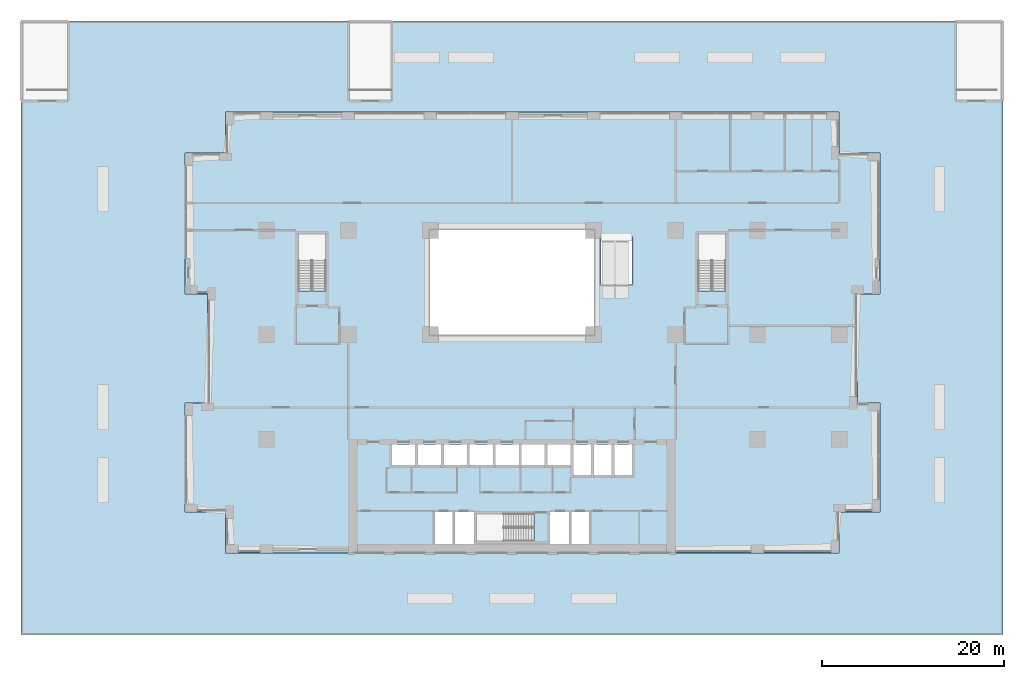
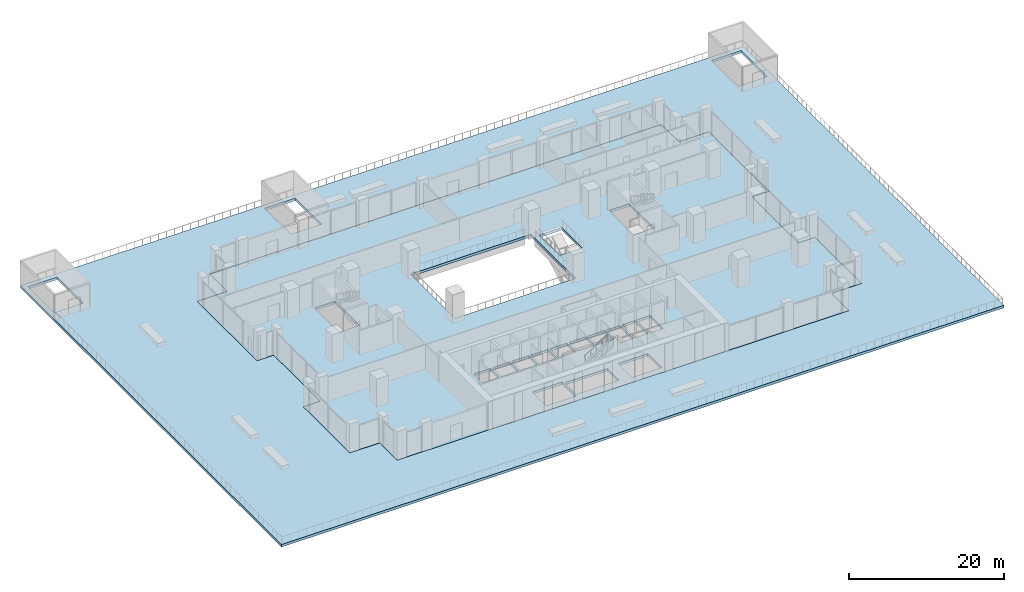
# One storey, part 9 of 19: 2 slabs.
"""IFC4 building model written with IfcOpenShell, lengths in metres."""

import ifcopenshell
import ifcopenshell.guid

model = None  # the IFC model being written
_history = None  # IfcOwnerHistory: only IFC2X3 demands one
_inside = {}  # id of a spatial element -> (the spatial element, [elements in it])
_under = {}  # id of a project, library or spatial element -> (it, [spatial elements below it])
_declared = {}  # id of a project -> (the project, [libraries it declares])
_typed = {}  # id of a type object -> (the type object, [elements of that type])
_made_of = {}  # id of a material, layer set ... -> (it, [elements and type objects made of it])


def new_model(schema):
    """Start an empty IFC model of exactly this schema.

    Asked for "IFC4X3", IfcOpenShell would pick the latest addendum, in which some entities
    have other attributes; the version numbers below select the first issue.
    IFC2X3 requires an IfcOwnerHistory on every rooted entity: one is made here for all.
    """
    global model, _history
    if schema == "IFC4X3":
        model = ifcopenshell.file(schema_version=(4, 3, 0, 0))
    else:
        model = ifcopenshell.file(schema=schema)
    _inside.clear()
    _under.clear()
    _declared.clear()
    _typed.clear()
    _made_of.clear()
    _history = None
    if model.schema == "IFC2X3":
        org = make("IfcOrganization", Name="unknown")
        user = make(
            "IfcPersonAndOrganization",
            ThePerson=make("IfcPerson", FamilyName="unknown"),
            TheOrganization=org,
        )
        app = make(
            "IfcApplication",
            ApplicationDeveloper=org,
            Version="unknown",
            ApplicationFullName="unknown",
            ApplicationIdentifier="unknown",
        )
        _history = make(
            "IfcOwnerHistory",
            OwningUser=user,
            OwningApplication=app,
            ChangeAction="ADDED",
            CreationDate=0,
        )
    return model


def make(cls, **values):
    """One entity of the class cls with the attributes given. An attribute that is None is left unset."""
    return model.create_entity(
        cls, **{name: value for name, value in values.items() if value is not None}
    )


def rooted(cls, **values):
    """An entity with a GlobalId (a new one), such as an element, a storey or a relation."""
    return make(cls, GlobalId=ifcopenshell.guid.new(), OwnerHistory=_history, **values)


def si_unit(unit_type, name, prefix=None):
    """IfcSIUnit, for example si_unit("LENGTHUNIT", "METRE", prefix="MILLI")."""
    return make("IfcSIUnit", UnitType=unit_type, Prefix=prefix, Name=name)


def assignment(units):
    """IfcUnitAssignment: the units of a project."""
    return None if units is None else make("IfcUnitAssignment", Units=units)


def point(xyz):
    """IfcCartesianPoint."""
    return None if xyz is None else make("IfcCartesianPoint", Coordinates=xyz)


def direction(xyz):
    """IfcDirection."""
    return None if xyz is None else make("IfcDirection", DirectionRatios=xyz)


def frame(location, z_axis=None, x_axis=None):
    """IfcAxis2Placement3D, a coordinate frame: its origin and axes. An axis left out is left unset."""
    return make(
        "IfcAxis2Placement3D",
        Location=point(location),
        Axis=direction(z_axis),
        RefDirection=direction(x_axis),
    )


def origin():
    """The frame at (0, 0, 0) with its axes left unset."""
    return frame((0.0, 0.0, 0.0))


def place(relative_to, where):
    """IfcLocalPlacement: puts the frame where relative to a parent placement (None: the world)."""
    return make(
        "IfcLocalPlacement", PlacementRelTo=relative_to, RelativePlacement=where
    )


def context(
    kind, dimensions, precision=None, world=None, true_north=None, identifier=None
):
    """IfcGeometricRepresentationContext, for example the 3D "Model" context."""
    return make(
        "IfcGeometricRepresentationContext",
        ContextIdentifier=identifier,
        ContextType=kind,
        CoordinateSpaceDimension=dimensions,
        Precision=precision,
        WorldCoordinateSystem=world,
        TrueNorth=true_north,
    )


def subcontext(parent, identifier, kind, view, scale=None):
    """IfcGeometricRepresentationSubContext, for example "Body" below "Model"."""
    return make(
        "IfcGeometricRepresentationSubContext",
        ContextIdentifier=identifier,
        ContextType=kind,
        ParentContext=parent,
        TargetScale=scale,
        TargetView=view,
    )


def project(units=None, contexts=None):
    """IfcProject with its units and contexts."""
    return rooted(
        "IfcProject",
        Name="project",
        RepresentationContexts=contexts,
        UnitsInContext=assignment(units),
    )


def spatial(cls, under=None, at=None, **own):
    """A site, building, storey or space (cls), placed at a placement, below another one or the project."""
    s = rooted(cls, ObjectPlacement=at, **own)
    if under is not None:
        _under.setdefault(under.id(), (under, []))[1].append(s)
    return s


def polyline(points):
    """IfcPolyline through the points."""
    return make("IfcPolyline", Points=[point(p) for p in points])


def outline(outer, holes=None, kind="AREA"):
    """IfcArbitraryClosedProfileDef: a profile drawn as a closed curve; with holes, ...WithVoids."""
    if holes is None:
        return make("IfcArbitraryClosedProfileDef", ProfileType=kind, OuterCurve=outer)
    return make(
        "IfcArbitraryProfileDefWithVoids",
        ProfileType=kind,
        OuterCurve=outer,
        InnerCurves=holes,
    )


def extrude(swept, where, along, depth):
    """IfcExtrudedAreaSolid: the profile swept, set in the frame where, extruded along a direction by depth."""
    return make(
        "IfcExtrudedAreaSolid",
        SweptArea=swept,
        Position=where,
        ExtrudedDirection=direction(along),
        Depth=depth,
    )


def shape(context_of_items, identifier, shape_type, items):
    """IfcShapeRepresentation: the items that make up one representation, for example the "Body"."""
    return make(
        "IfcShapeRepresentation",
        ContextOfItems=context_of_items,
        RepresentationIdentifier=identifier,
        RepresentationType=shape_type,
        Items=items,
    )


def material(Name=None, Category=None):
    """IfcMaterial."""
    return make("IfcMaterial", Name=Name, Category=Category)


def layer(
    of_material, thickness, ventilated=None, Name=None, Category=None, Priority=None
):
    """IfcMaterialLayer: one layer of a wall or slab, of a material (None: an air gap)."""
    return make(
        "IfcMaterialLayer",
        Material=of_material,
        LayerThickness=thickness,
        IsVentilated=ventilated,
        Name=Name,
        Category=Category,
        Priority=Priority,
    )


def layer_set(layers, Name=None):
    """IfcMaterialLayerSet."""
    return make("IfcMaterialLayerSet", MaterialLayers=layers, LayerSetName=Name)


def made_of(thing, what):
    """Note that an element or type object is made of a material, layer set ...; save() writes the relation."""
    if what is not None:
        _made_of.setdefault(what.id(), (what, []))[1].append(thing)
    return thing


def type_object(cls, material=None, **own):
    """A type object (cls), such as IfcWallType, which elements share."""
    return made_of(rooted(cls, **own), material)


def element(
    cls,
    number,
    at=None,
    inside=None,
    cuts=None,
    type_object=None,
    material=None,
    context=None,
    identifier="Body",
    shape_type=None,
    held_by="IfcProductDefinitionShape",
    body=None,
    shapes=None,
    **own,
):
    """One element of the class cls, such as IfcWall. Its Tag is "e" and its number.

    at: its placement. inside: the storey or other place that contains it. cuts: it is an
    opening in that element (IfcRelVoidsElement). A single representation is given by context,
    identifier, shape_type and body (its items); several are given by shapes. held_by: the class
    of the entity that holds the representations. save() writes the other relations.
    """
    e = rooted(cls, Tag="e%d" % number, ObjectPlacement=at, **own)
    if body is not None:
        shapes = [shape(context, identifier, shape_type, body)]
    if shapes is not None:
        e.Representation = make(held_by, Representations=shapes)
    if inside is not None:
        _inside.setdefault(inside.id(), (inside, []))[1].append(e)
    if cuts is not None:
        rooted(
            "IfcRelVoidsElement", RelatingBuildingElement=cuts, RelatedOpeningElement=e
        )
    if type_object is not None:
        _typed.setdefault(type_object.id(), (type_object, []))[1].append(e)
    return made_of(e, material)


def aggregate(whole, parts):
    """IfcRelAggregates: a whole, such as a stair, and the parts it consists of."""
    return rooted("IfcRelAggregates", RelatingObject=whole, RelatedObjects=parts)


def save(model, path):
    """Write the relations noted so far, then the file.

    IfcRelAggregates (storeys below a building ...), IfcRelContainedInSpatialStructure (elements
    in a storey), IfcRelDefinesByType, IfcRelAssociatesMaterial and IfcRelDeclares: one each for
    every whole, place, type object, material and project.
    """
    for whole, parts in _under.values():
        aggregate(whole, parts)
    for where, things in _inside.values():
        rooted(
            "IfcRelContainedInSpatialStructure",
            RelatedElements=things,
            RelatingStructure=where,
        )
    for kind, things in _typed.values():
        rooted("IfcRelDefinesByType", RelatedObjects=things, RelatingType=kind)
    for what, things in _made_of.values():
        rooted("IfcRelAssociatesMaterial", RelatedObjects=things, RelatingMaterial=what)
    for by, libraries in _declared.values():
        rooted("IfcRelDeclares", RelatingContext=by, RelatedDefinitions=libraries)
    model.write(path)


model = new_model("IFC4")

# Units and contexts
model_context = context("Model", 3, precision=1e-05, world=origin(), true_north=direction((0.0, 1.0)))
body_context = subcontext(model_context, "Body", "Model", "MODEL_VIEW")
ifc_project = project(units=[si_unit("LENGTHUNIT", "METRE"), si_unit("AREAUNIT", "SQUARE_METRE"), si_unit("VOLUMEUNIT", "CUBIC_METRE"), si_unit("PLANEANGLEUNIT", "RADIAN"), si_unit("MASSUNIT", "GRAM", prefix="KILO")], contexts=[model_context])

# Site, building, storey
site_placement = place(None, origin())
site = spatial("IfcSite", under=ifc_project, at=site_placement, CompositionType="ELEMENT")
building_placement = place(site_placement, origin())
building = spatial("IfcBuilding", under=site, at=building_placement, Name="Brigalow Station Residences", CompositionType="ELEMENT")
storey_placement = place(building_placement, frame((0.0, 0.0, 11.0)))
storey = spatial("IfcBuildingStorey", under=building, at=storey_placement, Name="L02", CompositionType="ELEMENT", Elevation=11.0)

# Slabs
ifc_material_1 = material(Name="Concrete C50", Category="concrete")
ifc_layer_1 = layer(ifc_material_1, 0.402099609375)
ifc_layer_set_1 = layer_set([ifc_layer_1], Name="REINFORCED FLAT PLATE 402 C50")
slab_type_1 = type_object("IfcSlabType", Name="REINFORCED FLAT PLATE 402 C50", PredefinedType="FLOOR", material=ifc_layer_set_1)
slab_1_placement = place(storey_placement, frame((0.0, 0.0, -0.402099609375)))
element("IfcSlab", 1, at=slab_1_placement, inside=storey, type_object=slab_type_1, Name="FLOOR SLAB L02", PredefinedType="FLOOR", context=body_context, shape_type="SweptSolid", body=[
    extrude(outline(polyline([(4.5, 0.0), (72.0, 0.0), (72.0, 4.5), (76.5, 4.5), (76.5, 16.5), (74.0, 16.5), (74.0, 28.5), (76.5, 28.5), (76.5, 44.0), (72.0, 44.0), (72.0, 48.5), (4.5, 48.5), (4.5, 44.0), (0.0, 44.0), (0.0, 28.5), (2.5, 28.5), (2.5, 16.5), (0.0, 16.5), (0.0, 4.5), (4.5, 4.5), (4.5, 0.0)]), holes=[polyline([(12.5048828125, 35.094970703125), (15.4951171875, 35.094970703125), (15.4951171875, 28.804931640625), (12.5048828125, 28.804931640625), (12.5048828125, 35.094970703125)]), polyline([(22.800048828125, 11.89990234375), (25.35009765625, 11.89990234375), (25.35009765625, 9.64990234375), (22.800048828125, 9.64990234375), (22.800048828125, 11.89990234375)]), polyline([(25.64990234375, 11.89990234375), (28.199951171875, 11.89990234375), (28.199951171875, 9.64990234375), (25.64990234375, 9.64990234375), (25.64990234375, 11.89990234375)]), polyline([(28.5, 11.89990234375), (31.050048828125, 11.89990234375), (31.050048828125, 9.64990234375), (28.5, 9.64990234375), (28.5, 11.89990234375)]), polyline([(29.60009765625, 1.0), (27.39990234375, 1.0), (27.39990234375, 4.60009765625), (29.60009765625, 4.60009765625), (31.800048828125, 4.60009765625), (31.800048828125, 1.0), (29.60009765625, 1.0)]), polyline([(31.35009765625, 11.89990234375), (33.89990234375, 11.89990234375), (33.89990234375, 9.64990234375), (31.35009765625, 9.64990234375), (31.35009765625, 11.89990234375)]), polyline([(32.10498046875, 4.294921875), (38.39501953125, 4.294921875), (38.39501953125, 1.304931640625), (32.10498046875, 1.304931640625), (32.10498046875, 4.294921875)]), polyline([(36.75, 11.89990234375), (36.75, 9.64990234375), (34.199951171875, 9.64990234375), (34.199951171875, 11.89990234375), (36.75, 11.89990234375)]), polyline([(37.050048828125, 11.89990234375), (39.60009765625, 11.89990234375), (39.60009765625, 9.64990234375), (37.050048828125, 9.64990234375), (37.050048828125, 11.89990234375)]), polyline([(39.89990234375, 11.89990234375), (42.449951171875, 11.89990234375), (42.449951171875, 9.64990234375), (39.89990234375, 9.64990234375), (39.89990234375, 11.89990234375)]), polyline([(42.39990234375, 1.0), (40.199951171875, 1.0), (40.199951171875, 4.60009765625), (42.39990234375, 4.60009765625), (44.60009765625, 4.60009765625), (44.60009765625, 1.0), (42.39990234375, 1.0)]), polyline([(44.699951171875, 11.89990234375), (44.699951171875, 8.550048828125), (42.75, 8.550048828125), (42.75, 11.89990234375), (44.699951171875, 11.89990234375)]), polyline([(45.0, 35.5), (45.0, 24.0), (27.0, 24.0), (27.0, 35.5), (45.0, 35.5)]), polyline([(46.949951171875, 11.89990234375), (46.949951171875, 8.550048828125), (45.0, 8.550048828125), (45.0, 11.89990234375), (46.949951171875, 11.89990234375)]), polyline([(47.25, 11.89990234375), (49.199951171875, 11.89990234375), (49.199951171875, 8.550048828125), (47.25, 8.550048828125), (47.25, 11.89990234375)]), polyline([(49.199951171875, 34.800048828125), (49.199951171875, 29.52001953125), (45.800048828125, 29.52001953125), (45.800048828125, 34.800048828125), (49.199951171875, 34.800048828125)]), polyline([(59.4951171875, 35.094970703125), (59.4951171875, 28.804931640625), (56.5048828125, 28.804931640625), (56.5048828125, 35.094970703125), (59.4951171875, 35.094970703125)])]), origin(), (0.0, 0.0, 1.0), 0.402099609375),
])
ifc_material_2 = material(Name="Concrete C50", Category="concrete")
ifc_layer_2 = layer(ifc_material_2, 0.402099609375)
ifc_layer_set_2 = layer_set([ifc_layer_2], Name="TERRACE SLAB 400")
slab_type_2 = type_object("IfcSlabType", Name="TERRACE SLAB 400", PredefinedType="ROOF", material=ifc_layer_set_2)
slab_2_placement = place(storey_placement, frame((0.0, 0.0, -0.402099609375)))
element("IfcSlab", 2, at=slab_2_placement, inside=storey, type_object=slab_type_2, Name="Podium roof terrace slab", PredefinedType="ROOF", context=body_context, shape_type="SweptSolid", body=[
    extrude(outline(polyline([(-18.0, -9.0), (90.0, -9.0), (90.0, 58.5), (-18.0, 58.5), (-18.0, -9.0)]), holes=[polyline([(4.5, 0.0), (72.0, 0.0), (72.0, 4.5), (76.5, 4.5), (76.5, 16.5), (74.0, 16.5), (74.0, 28.5), (76.5, 28.5), (76.5, 44.0), (72.0, 44.0), (72.0, 48.5), (4.5, 48.5), (4.5, 44.0), (0.0, 44.0), (0.0, 28.5), (2.5, 28.5), (2.5, 16.5), (0.0, 16.5), (0.0, 4.5), (4.5, 4.5), (4.5, 0.0)]), polyline([(-12.929931640625, 57.794921875), (-17.294921875, 57.794921875), (-17.294921875, 51.030029296875), (-12.929931640625, 51.030029296875), (-12.929931640625, 57.794921875)]), polyline([(89.2939453125, 57.794921875), (84.929931640625, 57.794921875), (84.929931640625, 51.030029296875), (89.2939453125, 51.030029296875), (89.2939453125, 57.794921875)]), polyline([(22.669921875, 57.794921875), (18.1298828125, 57.794921875), (18.1298828125, 51.030029296875), (22.669921875, 51.030029296875), (22.669921875, 57.794921875)])]), origin(), (0.0, 0.0, 1.0), 0.402099609375),
])

save(model, "model.ifc")
